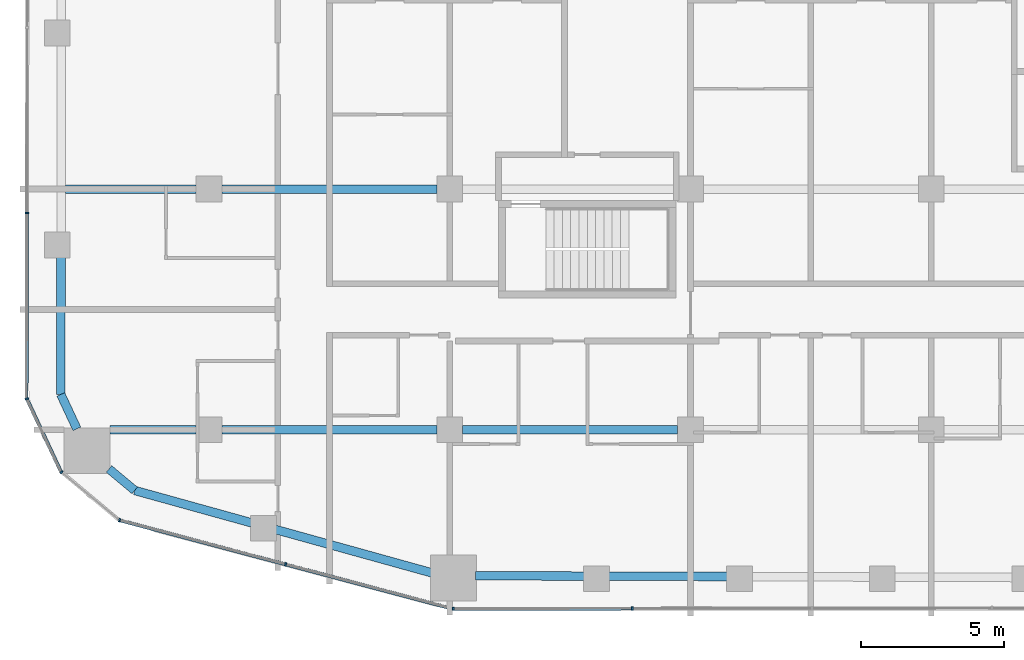
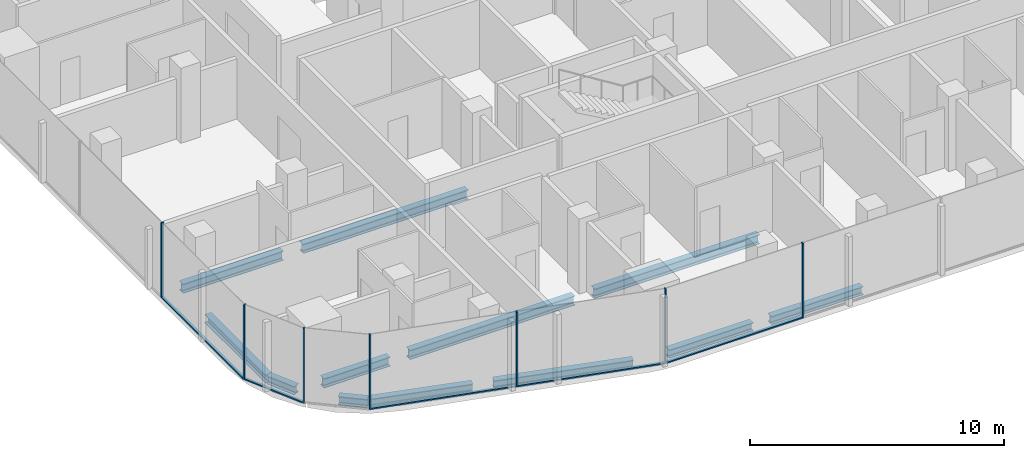
# One storey, part 2 of 23: 12 beams, 12 members, 5 elements without a shape of their own.
"""IFC4 building model written with IfcOpenShell, lengths in metres."""

from ifc_helpers import new_model, si_unit, direction, frame, origin, origin_2d, place, context, subcontext, project, spatial, rectangle, i_section, extrude, material, layer, layer_set, material_profile, profile_set, type_object, element, aggregate, save


model = new_model("IFC4")

# Units and contexts
model_context = context("Model", 3, precision=1e-05, world=origin(), true_north=direction((0.0, 1.0)))
body_context = subcontext(model_context, "Body", "Model", "MODEL_VIEW")
ifc_project = project(units=[si_unit("LENGTHUNIT", "METRE"), si_unit("AREAUNIT", "SQUARE_METRE"), si_unit("VOLUMEUNIT", "CUBIC_METRE"), si_unit("PLANEANGLEUNIT", "RADIAN"), si_unit("MASSUNIT", "GRAM", prefix="KILO")], contexts=[model_context])

# Site, building, storey
site_placement = place(None, origin())
site = spatial("IfcSite", under=ifc_project, at=site_placement, CompositionType="ELEMENT")
building_placement = place(site_placement, origin())
building = spatial("IfcBuilding", under=site, at=building_placement, Name="Marenta Gate Hotel Tower", CompositionType="ELEMENT")
storey_placement = place(building_placement, frame((0.0, 0.0, 126.5)))
storey = spatial("IfcBuildingStorey", under=building, at=storey_placement, Name="L28", CompositionType="ELEMENT", Elevation=126.5)

# Beams
ifc_material_1 = material(Name="Steel S355", Category="steel")
ifc_material_profile_1 = material_profile(ifc_material_1, i_section(OverallWidth=0.300048828125, OverallDepth=0.39990234375, WebThickness=0.013427734375, FlangeThickness=0.02392578125, FilletRadius=0.027099609375, at=origin_2d()), Name="HEB 400")
ifc_profile_set_1 = profile_set([ifc_material_profile_1], Name="Steel S355")
beam_type_1 = type_object("IfcBeamType", Name="Edge beam HEB 400", PredefinedType="SPANDREL", material=ifc_profile_set_1)
beam_1_placement = place(storey_placement, frame((-13.227783203125, -21.794677734375, -0.4599609375), z_axis=(-0.963615860477, 0.267290990189, 0.0), x_axis=(-0.267290990189, -0.963615860477, 0.0)))
element("IfcBeam", 1, at=beam_1_placement, inside=storey, type_object=beam_type_1, Name="L28-EB-1", PredefinedType="SPANDREL", context=body_context, shape_type="SweptSolid", body=[
    extrude(i_section(OverallWidth=0.300048828125, OverallDepth=0.39990234375, WebThickness=0.013427734375, FlangeThickness=0.02392578125, FilletRadius=0.027099609375, at=origin_2d()), origin(), (0.0, 0.0, 1.0), 5.674072265625),
])
beam_2_placement = place(storey_placement, frame((-19.518310546875, -20.0498046875, -0.4599609375), z_axis=(-0.963630213062, 0.267239242016, 0.0), x_axis=(-0.267239242016, -0.963630213062, 0.0)))
element("IfcBeam", 2, at=beam_2_placement, inside=storey, type_object=beam_type_1, Name="L28-EB-2", PredefinedType="SPANDREL", context=body_context, shape_type="SweptSolid", body=[
    extrude(i_section(OverallWidth=0.300048828125, OverallDepth=0.39990234375, WebThickness=0.013427734375, FlangeThickness=0.02392578125, FilletRadius=0.027099609375, at=origin_2d()), origin(), (0.0, 0.0, 1.0), 4.232666015625),
])
beam_3_placement = place(storey_placement, frame((-23.596923828125, -18.918701171875, -0.4599609375), z_axis=(-0.767073132856, 0.641559668972, 0.0), x_axis=(-0.641559668972, -0.767073132856, 0.0)))
element("IfcBeam", 3, at=beam_3_placement, inside=storey, type_object=beam_type_1, Name="L28-EB-3", PredefinedType="SPANDREL", context=body_context, shape_type="SweptSolid", body=[
    extrude(i_section(OverallWidth=0.300048828125, OverallDepth=0.39990234375, WebThickness=0.013427734375, FlangeThickness=0.02392578125, FilletRadius=0.027099609375, at=origin_2d()), origin(), (0.0, 0.0, 1.0), 1.1689453125),
])
beam_4_placement = place(storey_placement, frame((-25.613525390625, -16.769287109375, -0.4599609375), z_axis=(-0.423207780269, 0.906032656541, 0.0), x_axis=(-0.906032656541, -0.423207780269, 0.0)))
element("IfcBeam", 4, at=beam_4_placement, inside=storey, type_object=beam_type_1, Name="L28-EB-4", PredefinedType="SPANDREL", context=body_context, shape_type="SweptSolid", body=[
    extrude(i_section(OverallWidth=0.300048828125, OverallDepth=0.39990234375, WebThickness=0.013427734375, FlangeThickness=0.02392578125, FilletRadius=0.027099609375, at=origin_2d()), origin(), (0.0, 0.0, 1.0), 1.326904296875),
])
beam_5_placement = place(storey_placement, frame((-26.175048828125, -15.567138671875, -0.4599609375), z_axis=(0.001371810517, 0.999999059068, 0.0), x_axis=(-0.999999059068, 0.001371810517, 0.0)))
element("IfcBeam", 5, at=beam_5_placement, inside=storey, type_object=beam_type_1, Name="L28-EB-5", PredefinedType="SPANDREL", context=body_context, shape_type="SweptSolid", body=[
    extrude(i_section(OverallWidth=0.300048828125, OverallDepth=0.39990234375, WebThickness=0.013427734375, FlangeThickness=0.02392578125, FilletRadius=0.027099609375, at=origin_2d()), origin(), (0.0, 0.0, 1.0), 4.80517578125),
])
beam_6_placement = place(storey_placement, frame((-2.9033203125, -21.92333984375, -0.4599609375), z_axis=(-0.999994807487, 0.003222576575, 0.0), x_axis=(-0.003222576575, -0.999994807487, 0.0)))
element("IfcBeam", 6, at=beam_6_placement, inside=storey, type_object=beam_type_1, Name="L28-EB-35", PredefinedType="SPANDREL", context=body_context, shape_type="SweptSolid", body=[
    extrude(i_section(OverallWidth=0.300048828125, OverallDepth=0.39990234375, WebThickness=0.013427734375, FlangeThickness=0.02392578125, FilletRadius=0.027099609375, at=origin_2d()), origin(), (0.0, 0.0, 1.0), 4.166748046875),
])
beam_7_placement = place(storey_placement, frame((-7.89013671875, -21.907470703125, -0.4599609375), z_axis=(-0.999994677283, 0.003262729738, 0.0), x_axis=(-0.003262729738, -0.999994677283, 0.0)))
element("IfcBeam", 7, at=beam_7_placement, inside=storey, type_object=beam_type_1, Name="L28-EB-36", PredefinedType="SPANDREL", context=body_context, shape_type="SweptSolid", body=[
    extrude(i_section(OverallWidth=0.300048828125, OverallDepth=0.39990234375, WebThickness=0.013427734375, FlangeThickness=0.02392578125, FilletRadius=0.027099609375, at=origin_2d()), origin(), (0.0, 0.0, 1.0), 3.816162109375),
])
ifc_material_2 = material(Name="Steel S355", Category="steel")
ifc_material_profile_2 = material_profile(ifc_material_2, i_section(OverallWidth=0.300048828125, OverallDepth=0.449951171875, WebThickness=0.013916015625, FlangeThickness=0.02587890625, FilletRadius=0.027099609375, at=origin_2d()), Name="HEB 450")
ifc_profile_set_2 = profile_set([ifc_material_profile_2], Name="Steel S355")
beam_type_2 = type_object("IfcBeamType", Name="Girder HEB 450", PredefinedType="BEAM", material=ifc_profile_set_2)
beam_8_placement = place(storey_placement, frame((-24.462890625, -16.800048828125, -0.485107421875), z_axis=(1.0, 0.0, 0.0), x_axis=(0.0, 1.0, 0.0)))
element("IfcBeam", 8, at=beam_8_placement, inside=storey, type_object=beam_type_2, Name="L28-GD-1", PredefinedType="BEAM", context=body_context, shape_type="SweptSolid", body=[
    extrude(i_section(OverallWidth=0.300048828125, OverallDepth=0.449951171875, WebThickness=0.013916015625, FlangeThickness=0.02587890625, FilletRadius=0.027099609375, at=origin_2d()), origin(), (0.0, 0.0, 1.0), 3.012939453125),
])
for number, where, z_axis, x_axis, name in (
    (9, (-20.550048828125, -16.800048828125, -0.485107421875), (1.0, 0.0, 0.0), (0.0, 1.0, 0.0), "L28-GD-2"),
    (10, (-12.14990234375, -16.800048828125, -0.485107421875), (1.0, 0.0, 0.0), (0.0, 1.0, 0.0), "L28-GD-3"),
):
    element("IfcBeam", number, at=place(storey_placement, frame(where, z_axis=z_axis, x_axis=x_axis)), inside=storey, type_object=beam_type_2, Name=name, PredefinedType="BEAM", context=body_context, shape_type="SweptSolid", body=[
        extrude(i_section(OverallWidth=0.300048828125, OverallDepth=0.449951171875, WebThickness=0.013916015625, FlangeThickness=0.02587890625, FilletRadius=0.027099609375, at=origin_2d()), origin(), (0.0, 0.0, 1.0), 7.5),
    ])
beam_9_placement = place(storey_placement, frame((-26.01513671875, -8.39990234375, -0.485107421875), z_axis=(1.0, 0.0, 0.0), x_axis=(0.0, 1.0, 0.0)))
element("IfcBeam", 11, at=beam_9_placement, inside=storey, type_object=beam_type_2, Name="L28-GD-8", PredefinedType="BEAM", context=body_context, shape_type="SweptSolid", body=[
    extrude(i_section(OverallWidth=0.300048828125, OverallDepth=0.449951171875, WebThickness=0.013916015625, FlangeThickness=0.02587890625, FilletRadius=0.027099609375, at=origin_2d()), origin(), (0.0, 0.0, 1.0), 4.565185546875),
])
beam_10_placement = place(storey_placement, frame((-20.550048828125, -8.39990234375, -0.485107421875), z_axis=(1.0, 0.0, 0.0), x_axis=(0.0, 1.0, 0.0)))
element("IfcBeam", 12, at=beam_10_placement, inside=storey, type_object=beam_type_2, Name="L28-GD-9", PredefinedType="BEAM", context=body_context, shape_type="SweptSolid", body=[
    extrude(i_section(OverallWidth=0.300048828125, OverallDepth=0.449951171875, WebThickness=0.013916015625, FlangeThickness=0.02587890625, FilletRadius=0.027099609375, at=origin_2d()), origin(), (0.0, 0.0, 1.0), 7.5),
])

# Curtain wall, member
ifc_material_3 = material(Name="Tinted insulated glass in bronze anodised frame", Category="glass")
ifc_layer = layer(ifc_material_3, 0.1201171875)
ifc_layer_set = layer_set([ifc_layer], Name="Tinted insulated glass in bronze anodised frame")
curtain_wall_type = type_object("IfcCurtainWallType", Name="Tower unitised curtain wall CW1", PredefinedType="NOTDEFINED", material=ifc_layer_set)
curtain_wall_1_placement = place(storey_placement, origin())
curtain_wall_1 = element("IfcCurtainWall", 13, at=curtain_wall_1_placement, inside=storey, type_object=curtain_wall_type, Name="CW1 run G03", PredefinedType="NOTDEFINED")
ifc_material_4 = material(Name="Bronze anodised aluminium", Category="aluminium")
ifc_material_profile_3 = material_profile(ifc_material_4, rectangle(XDim=0.1201171875, YDim=0.06005859375, at=origin_2d()), Name="Mullion CW1 60x120 bronze anodised aluminium")
ifc_profile_set_3 = profile_set([ifc_material_profile_3], Name="Bronze anodised aluminium")
member_type_1 = type_object("IfcMemberType", Name="Mullion CW1 60x120 bronze anodised aluminium", PredefinedType="MULLION", material=ifc_profile_set_3)
member_1_placement = place(storey_placement, frame((-27.36279296875, -9.23388671875, 0.0), z_axis=(0.0, 0.0, 1.0), x_axis=(0.99999877375, -0.001566045546, 0.0)))
member_1 = element("IfcMember", 14, at=member_1_placement, type_object=member_type_1, Name="CW1 mullion 6", PredefinedType="MULLION", context=body_context, shape_type="SweptSolid", body=[
    extrude(rectangle(XDim=0.1201171875, YDim=0.06005859375, at=origin_2d()), origin(), (0.0, 0.0, 1.0), 3.60009765625),
])

curtain_wall_2_placement = place(storey_placement, origin())
curtain_wall_2 = element("IfcCurtainWall", 15, at=curtain_wall_2_placement, inside=storey, type_object=curtain_wall_type, Name="CW1 run G04", PredefinedType="NOTDEFINED")
member_2_placement = place(storey_placement, frame((-27.3603515625, -15.720947265625, 0.0), z_axis=(0.0, 0.0, 1.0), x_axis=(0.905971778319, 0.423338088163, 0.0)))
member_2 = element("IfcMember", 16, at=member_2_placement, type_object=member_type_1, Name="CW1 mullion 1", PredefinedType="MULLION", context=body_context, shape_type="SweptSolid", body=[
    extrude(rectangle(XDim=0.1201171875, YDim=0.06005859375, at=origin_2d()), origin(), (0.0, 0.0, 1.0), 3.60009765625),
])

curtain_wall_3_placement = place(storey_placement, origin())
curtain_wall_3 = element("IfcCurtainWall", 17, at=curtain_wall_3_placement, inside=storey, type_object=curtain_wall_type, Name="CW1 run G05", PredefinedType="NOTDEFINED")
member_3_placement = place(storey_placement, frame((-26.152099609375, -18.27685546875, 0.0), z_axis=(0.0, 0.0, 1.0), x_axis=(0.641512168126, 0.767112858807, 0.0)))
member_3 = element("IfcMember", 18, at=member_3_placement, type_object=member_type_1, Name="CW1 mullion 1", PredefinedType="MULLION", context=body_context, shape_type="SweptSolid", body=[
    extrude(rectangle(XDim=0.1201171875, YDim=0.06005859375, at=origin_2d()), origin(), (0.0, 0.0, 1.0), 3.60009765625),
])
aggregate(curtain_wall_3, [member_3])

# Curtain wall, members
curtain_wall_4_placement = place(storey_placement, origin())
curtain_wall_4 = element("IfcCurtainWall", 19, at=curtain_wall_4_placement, inside=storey, type_object=curtain_wall_type, Name="CW1 run G06", PredefinedType="NOTDEFINED")
member_4_placement = place(storey_placement, frame((-24.12451171875, -19.955810546875, 0.0), z_axis=(0.0, 0.0, 1.0), x_axis=(0.257143631229, 0.966373195468, 0.0)))
member_4 = element("IfcMember", 20, at=member_4_placement, type_object=member_type_1, Name="CW1 mullion 1", PredefinedType="MULLION", context=body_context, shape_type="SweptSolid", body=[
    extrude(rectangle(XDim=0.1201171875, YDim=0.06005859375, at=origin_2d()), origin(), (0.0, 0.0, 1.0), 3.60009765625),
])
member_5_placement = place(storey_placement, frame((-18.32958984375, -21.497802734375, 0.0), z_axis=(0.0, 0.0, 1.0), x_axis=(0.257143631229, 0.966373195468, 0.0)))
member_5 = element("IfcMember", 21, at=member_5_placement, type_object=member_type_1, Name="CW1 mullion 2", PredefinedType="MULLION", context=body_context, shape_type="SweptSolid", body=[
    extrude(rectangle(XDim=0.1201171875, YDim=0.06005859375, at=origin_2d()), origin(), (0.0, 0.0, 1.0), 3.60009765625),
])

curtain_wall_5_placement = place(storey_placement, origin())
curtain_wall_5 = element("IfcCurtainWall", 22, at=curtain_wall_5_placement, inside=storey, type_object=curtain_wall_type, Name="CW1 run G07", PredefinedType="NOTDEFINED")
member_6_placement = place(storey_placement, frame((-12.475830078125, -23.04736328125, 0.0), z_axis=(0.0, 0.0, 1.0), x_axis=(-0.001362347707, 0.999999072004, 0.0)))
member_6 = element("IfcMember", 23, at=member_6_placement, type_object=member_type_1, Name="CW1 mullion 1", PredefinedType="MULLION", context=body_context, shape_type="SweptSolid", body=[
    extrude(rectangle(XDim=0.1201171875, YDim=0.06005859375, at=origin_2d()), origin(), (0.0, 0.0, 1.0), 3.60009765625),
])
member_7_placement = place(storey_placement, frame((-6.22998046875, -23.0390625, 0.0), z_axis=(0.0, 0.0, 1.0), x_axis=(-0.001362347707, 0.999999072004, 0.0)))
member_7 = element("IfcMember", 24, at=member_7_placement, type_object=member_type_1, Name="CW1 mullion 2", PredefinedType="MULLION", context=body_context, shape_type="SweptSolid", body=[
    extrude(rectangle(XDim=0.1201171875, YDim=0.06005859375, at=origin_2d()), origin(), (0.0, 0.0, 1.0), 3.60009765625),
])

# Member
ifc_material_5 = material(Name="Bronze anodised aluminium", Category="aluminium")
ifc_material_profile_4 = material_profile(ifc_material_5, rectangle(XDim=0.1201171875, YDim=0.06005859375, at=origin_2d()), Name="Transom CW1 60x120 bronze anodised aluminium")
ifc_profile_set_4 = profile_set([ifc_material_profile_4], Name="Bronze anodised aluminium")
member_type_2 = type_object("IfcMemberType", Name="Transom CW1 60x120 bronze anodised aluminium", PredefinedType="USERDEFINED", material=ifc_profile_set_4)
member_8_placement = place(storey_placement, frame((-27.363037109375, -9.263916015625, 0.030029296875), z_axis=(-0.001556743377, -0.999998788274, 0.0), x_axis=(0.999998788274, -0.001556743377, 0.0)))
member_8 = element("IfcMember", 25, at=member_8_placement, type_object=member_type_2, Name="CW1 transom 6.1", ObjectType="TRANSOM", PredefinedType="USERDEFINED", context=body_context, shape_type="SweptSolid", body=[
    extrude(rectangle(XDim=0.1201171875, YDim=0.06005859375, at=origin_2d()), origin(), (0.0, 0.0, 1.0), 6.429931640625),
])

aggregate(curtain_wall_1, [member_1, member_8])

member_9_placement = place(storey_placement, frame((-27.34765625, -15.748046875, 0.030029296875), z_axis=(0.423329323939, -0.905975873572, 0.0), x_axis=(0.905975873572, 0.423329323939, 0.0)))
member_9 = element("IfcMember", 26, at=member_9_placement, type_object=member_type_2, Name="CW1 transom 1.1", ObjectType="TRANSOM", PredefinedType="USERDEFINED", context=body_context, shape_type="SweptSolid", body=[
    extrude(rectangle(XDim=0.1201171875, YDim=0.06005859375, at=origin_2d()), origin(), (0.0, 0.0, 1.0), 2.77001953125),
])

aggregate(curtain_wall_2, [member_2, member_9])

member_10_placement = place(storey_placement, frame((-24.095458984375, -19.963623046875, 0.030029296875), z_axis=(0.966369276777, -0.257158357634, 0.0), x_axis=(0.257158357634, 0.966369276777, 0.0)))
member_10 = element("IfcMember", 27, at=member_10_placement, type_object=member_type_2, Name="CW1 transom 1.1", ObjectType="TRANSOM", PredefinedType="USERDEFINED", context=body_context, shape_type="SweptSolid", body=[
    extrude(rectangle(XDim=0.1201171875, YDim=0.06005859375, at=origin_2d()), origin(), (0.0, 0.0, 1.0), 5.9365234375),
])

member_11_placement = place(storey_placement, frame((-18.300537109375, -21.505615234375, 0.030029296875), z_axis=(0.966369960125, -0.257155789684, 0.0), x_axis=(0.257155789684, 0.966369960125, 0.0)))
member_11 = element("IfcMember", 28, at=member_11_placement, type_object=member_type_2, Name="CW1 transom 2.1", ObjectType="TRANSOM", PredefinedType="USERDEFINED", context=body_context, shape_type="SweptSolid", body=[
    extrude(rectangle(XDim=0.1201171875, YDim=0.06005859375, at=origin_2d()), origin(), (0.0, 0.0, 1.0), 5.996337890625),
])

aggregate(curtain_wall_4, [member_4, member_5, member_10, member_11])

member_12_placement = place(storey_placement, frame((-12.44580078125, -23.04736328125, 0.030029296875), z_axis=(0.999999099639, 0.001341909831, 0.0), x_axis=(-0.001341909831, 0.999999099639, 0.0)))
member_12 = element("IfcMember", 29, at=member_12_placement, type_object=member_type_2, Name="CW1 transom 1.1", ObjectType="TRANSOM", PredefinedType="USERDEFINED", context=body_context, shape_type="SweptSolid", body=[
    extrude(rectangle(XDim=0.1201171875, YDim=0.06005859375, at=origin_2d()), origin(), (0.0, 0.0, 1.0), 6.185791015625),
])

aggregate(curtain_wall_5, [member_6, member_7, member_12])

save(model, "model.ifc")
